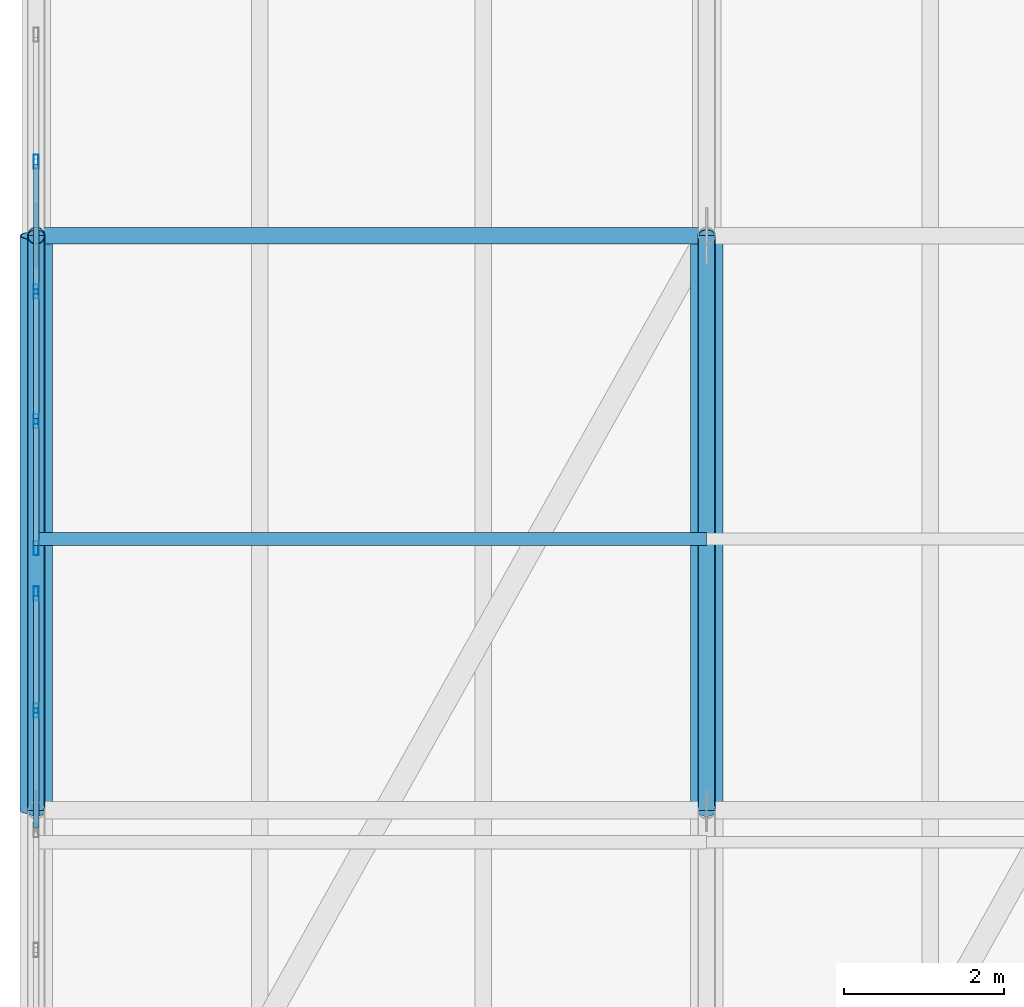
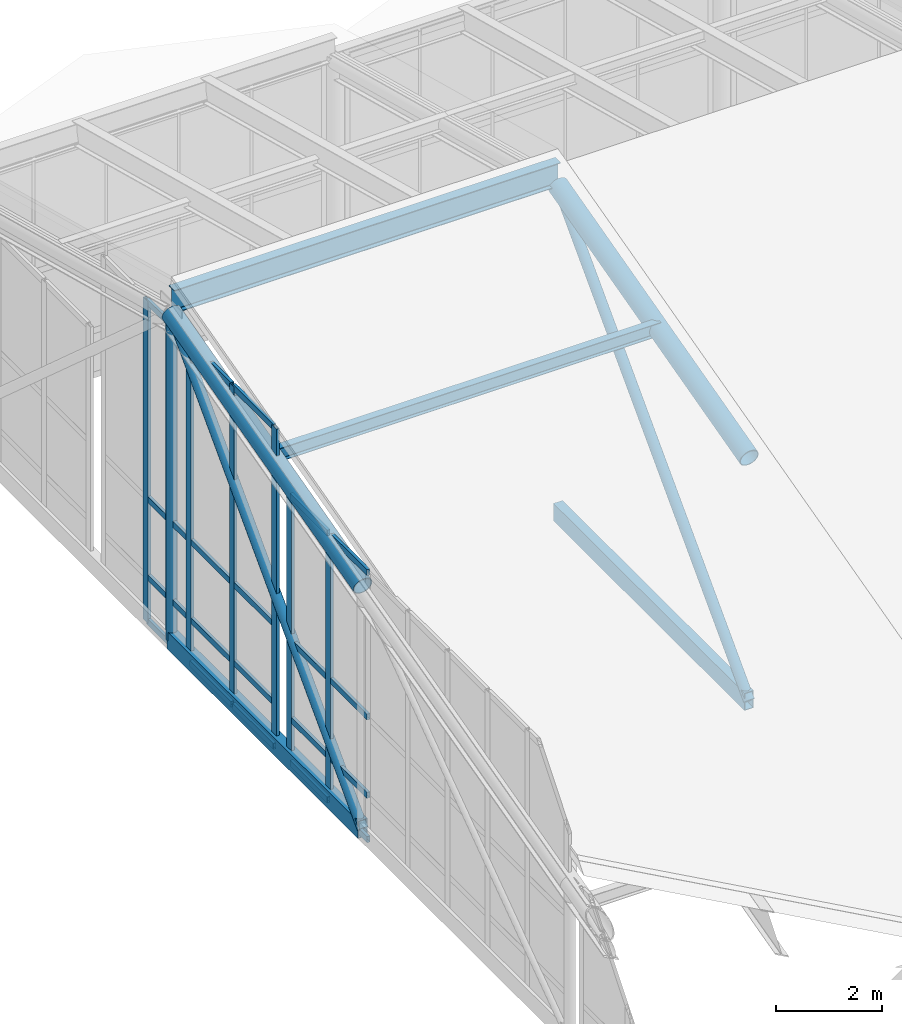
# One storey, part 12 of 43: 34 members, 1 beam, 2 elements without a shape of their own.
"""IFC4 building model written with IfcOpenShell, lengths in metres."""

from ifc_helpers import new_model, si_unit, direction, frame, origin, origin_2d, place, context, subcontext, project, spatial, hollow_rectangle, hollow_circle, i_section, extrude, material, layer, layer_set, material_profile, profile_set, type_object, element, aggregate, save


model = new_model("IFC4")

# Units and contexts
model_context = context("Model", 3, precision=1e-05, world=origin(), true_north=direction((0.0, 1.0)))
body_context = subcontext(model_context, "Body", "Model", "MODEL_VIEW")
ifc_project = project(units=[si_unit("LENGTHUNIT", "METRE"), si_unit("AREAUNIT", "SQUARE_METRE"), si_unit("VOLUMEUNIT", "CUBIC_METRE"), si_unit("PLANEANGLEUNIT", "RADIAN"), si_unit("MASSUNIT", "GRAM", prefix="KILO")], contexts=[model_context])

# Site, building, storey
site_placement = place(None, origin())
site = spatial("IfcSite", under=ifc_project, at=site_placement, CompositionType="ELEMENT")
building_placement = place(site_placement, origin())
building = spatial("IfcBuilding", under=site, at=building_placement, Name="Selat Folded Stagehouse", CompositionType="ELEMENT")
storey_placement = place(building_placement, frame((0.0, 0.0, 32.39990234375)))
storey = spatial("IfcBuildingStorey", under=building, at=storey_placement, Name="RF", CompositionType="ELEMENT", Elevation=32.39990234375)

# Beam
ifc_material_1 = material(Name="Steel S355", Category="steel")
ifc_material_profile_1 = material_profile(ifc_material_1, i_section(OverallWidth=0.209228515625, OverallDepth=0.533203125, WebThickness=0.010009765625, FlangeThickness=0.015625, FilletRadius=0.0126953125, at=origin_2d()), Name="UKB 533x210x92")
ifc_profile_set_1 = profile_set([ifc_material_profile_1], Name="Steel S355")
beam_type = type_object("IfcBeamType", Name="BM-GIRD-533x210x92", PredefinedType="BEAM", material=ifc_profile_set_1)
beam_placement = place(storey_placement, frame((8.39990234375, 46.199951171875, 7.943359375), z_axis=(1.0, 0.0, 0.0), x_axis=(0.0, 1.0, 0.0)))
element("IfcBeam", 1, at=beam_placement, inside=storey, type_object=beam_type, Name="RF bay 1 R roof bearer beam", PredefinedType="BEAM", context=body_context, shape_type="SweptSolid", body=[
    extrude(i_section(OverallWidth=0.209228515625, OverallDepth=0.533203125, WebThickness=0.010009765625, FlangeThickness=0.015625, FilletRadius=0.0126953125, at=origin_2d()), origin(), (0.0, 0.0, 1.0), 8.400146484375),
])

# Curtain wall, members
ifc_material_2 = material(Name="Aluminium 6063-T6", Category="aluminium")
ifc_layer = layer(ifc_material_2, 0.169921875)
ifc_layer_set = layer_set([ifc_layer], Name="Aluminium 6063-T6")
curtain_wall_type = type_object("IfcCurtainWallType", Name="CW-CRN-CLER", PredefinedType="NOTDEFINED", material=ifc_layer_set)
curtain_wall_1_placement = place(storey_placement, origin())
curtain_wall_1 = element("IfcCurtainWall", 2, at=curtain_wall_1_placement, inside=storey, type_object=curtain_wall_type, Name="RF curtain wall CW-RF-W-01", PredefinedType="NOTDEFINED")
ifc_material_profile_2 = material_profile(ifc_material_2, hollow_rectangle(XDim=0.06494140625, YDim=0.179931640625, WallThickness=0.00390625, at=origin_2d()), Name="ALU 180x65x4.0")
ifc_profile_set_2 = profile_set([ifc_material_profile_2], Name="Aluminium 6063-T6")
member_type_1 = type_object("IfcMemberType", Name="CWM-MUL-180x65", PredefinedType="MULLION", material=ifc_profile_set_2)
member_1_placement = place(storey_placement, frame((8.39990234375, 40.25, 0.0), z_axis=(0.0, 0.0, 1.0), x_axis=(-1.0, 0.0, 0.0)))
member_1 = element("IfcMember", 3, at=member_1_placement, type_object=member_type_1, Name="CW-09 mullion 7", PredefinedType="MULLION", context=body_context, shape_type="SweptSolid", body=[
    extrude(hollow_rectangle(XDim=0.06494140625, YDim=0.179931640625, WallThickness=0.00390625, at=origin_2d()), origin(), (0.0, 0.0, 1.0), 6.2001953125),
])
member_2_placement = place(storey_placement, frame((8.39990234375, 41.717529296875, 0.0), z_axis=(0.0, 0.0, 1.0), x_axis=(-1.0, 0.0, 0.0)))
member_2 = element("IfcMember", 4, at=member_2_placement, type_object=member_type_1, Name="CW-09 mullion 8", PredefinedType="MULLION", context=body_context, shape_type="SweptSolid", body=[
    extrude(hollow_rectangle(XDim=0.06494140625, YDim=0.179931640625, WallThickness=0.00390625, at=origin_2d()), origin(), (0.0, 0.0, 1.0), 6.2001953125),
])

curtain_wall_2_placement = place(storey_placement, origin())
curtain_wall_2 = element("IfcCurtainWall", 5, at=curtain_wall_2_placement, inside=storey, type_object=curtain_wall_type, Name="RF curtain wall CW-RF-W-02", PredefinedType="NOTDEFINED")
member_3_placement = place(storey_placement, frame((8.39990234375, 42.282470703125, 0.0), z_axis=(0.0, 0.0, 1.0), x_axis=(-1.0, 0.0, 0.0)))
member_3 = element("IfcMember", 6, at=member_3_placement, type_object=member_type_1, Name="CW-09 mullion 1", PredefinedType="MULLION", context=body_context, shape_type="SweptSolid", body=[
    extrude(hollow_rectangle(XDim=0.06494140625, YDim=0.179931640625, WallThickness=0.00390625, at=origin_2d()), origin(), (0.0, 0.0, 1.0), 7.400146484375),
])
member_4_placement = place(storey_placement, frame((8.39990234375, 43.875, 0.0), z_axis=(0.0, 0.0, 1.0), x_axis=(-1.0, 0.0, 0.0)))
member_4 = element("IfcMember", 7, at=member_4_placement, type_object=member_type_1, Name="CW-09 mullion 2", PredefinedType="MULLION", context=body_context, shape_type="SweptSolid", body=[
    extrude(hollow_rectangle(XDim=0.06494140625, YDim=0.179931640625, WallThickness=0.00390625, at=origin_2d()), origin(), (0.0, 0.0, 1.0), 7.400146484375),
])
member_5_placement = place(storey_placement, frame((8.39990234375, 45.5, 0.0), z_axis=(0.0, 0.0, 1.0), x_axis=(-1.0, 0.0, 0.0)))
member_5 = element("IfcMember", 8, at=member_5_placement, type_object=member_type_1, Name="CW-09 mullion 3", PredefinedType="MULLION", context=body_context, shape_type="SweptSolid", body=[
    extrude(hollow_rectangle(XDim=0.06494140625, YDim=0.179931640625, WallThickness=0.00390625, at=origin_2d()), origin(), (0.0, 0.0, 1.0), 7.400146484375),
])
member_6_placement = place(storey_placement, frame((8.39990234375, 47.125, 0.0), z_axis=(0.0, 0.0, 1.0), x_axis=(-1.0, 0.0, 0.0)))
member_6 = element("IfcMember", 9, at=member_6_placement, type_object=member_type_1, Name="CW-09 mullion 4", PredefinedType="MULLION", context=body_context, shape_type="SweptSolid", body=[
    extrude(hollow_rectangle(XDim=0.06494140625, YDim=0.179931640625, WallThickness=0.00390625, at=origin_2d()), origin(), (0.0, 0.0, 1.0), 7.400146484375),
])

# Member
ifc_material_profile_3 = material_profile(ifc_material_2, hollow_rectangle(XDim=0.06494140625, YDim=0.139892578125, WallThickness=0.00390625, at=origin_2d()), Name="ALU 140x65x4.0")
ifc_profile_set_3 = profile_set([ifc_material_profile_3], Name="Aluminium 6063-T6")
member_type_2 = type_object("IfcMemberType", Name="CWM-TRN-140x65", PredefinedType="USERDEFINED", material=ifc_profile_set_3)
member_7_placement = place(storey_placement, frame((8.39990234375, 38.782470703125, 0.03271484375), z_axis=(0.0, 1.0, 0.0), x_axis=(-1.0, 0.0, 0.0)))
member_7 = element("IfcMember", 10, at=member_7_placement, type_object=member_type_2, Name="CW-09 transom 6.1", ObjectType="TRANSOM", PredefinedType="USERDEFINED", context=body_context, shape_type="SweptSolid", body=[
    extrude(hollow_rectangle(XDim=0.06494140625, YDim=0.139892578125, WallThickness=0.00390625, at=origin_2d()), origin(), (0.0, 0.0, 1.0), 1.43505859375),
])

member_8_placement = place(storey_placement, frame((8.39990234375, 38.782470703125, 1.050048828125), z_axis=(0.0, 1.0, 0.0), x_axis=(-1.0, 0.0, 0.0)))
member_8 = element("IfcMember", 11, at=member_8_placement, type_object=member_type_2, Name="CW-09 transom 6.2", ObjectType="TRANSOM", PredefinedType="USERDEFINED", context=body_context, shape_type="SweptSolid", body=[
    extrude(hollow_rectangle(XDim=0.06494140625, YDim=0.139892578125, WallThickness=0.00390625, at=origin_2d()), origin(), (0.0, 0.0, 1.0), 1.43505859375),
])

member_9_placement = place(storey_placement, frame((8.39990234375, 38.782470703125, 2.85009765625), z_axis=(0.0, 1.0, 0.0), x_axis=(-1.0, 0.0, 0.0)))
member_9 = element("IfcMember", 12, at=member_9_placement, type_object=member_type_2, Name="CW-09 transom 6.3", ObjectType="TRANSOM", PredefinedType="USERDEFINED", context=body_context, shape_type="SweptSolid", body=[
    extrude(hollow_rectangle(XDim=0.06494140625, YDim=0.139892578125, WallThickness=0.00390625, at=origin_2d()), origin(), (0.0, 0.0, 1.0), 1.43505859375),
])

member_10_placement = place(storey_placement, frame((8.39990234375, 38.782470703125, 6.16748046875), z_axis=(0.0, 1.0, 0.0), x_axis=(-1.0, 0.0, 0.0)))
member_10 = element("IfcMember", 13, at=member_10_placement, type_object=member_type_2, Name="CW-09 transom 6.4", ObjectType="TRANSOM", PredefinedType="USERDEFINED", context=body_context, shape_type="SweptSolid", body=[
    extrude(hollow_rectangle(XDim=0.06494140625, YDim=0.139892578125, WallThickness=0.00390625, at=origin_2d()), origin(), (0.0, 0.0, 1.0), 1.43505859375),
])

member_11_placement = place(storey_placement, frame((8.39990234375, 40.282470703125, 0.03271484375), z_axis=(0.0, 1.0, 0.0), x_axis=(-1.0, 0.0, 0.0)))
member_11 = element("IfcMember", 14, at=member_11_placement, type_object=member_type_2, Name="CW-09 transom 7.1", ObjectType="TRANSOM", PredefinedType="USERDEFINED", context=body_context, shape_type="SweptSolid", body=[
    extrude(hollow_rectangle(XDim=0.06494140625, YDim=0.139892578125, WallThickness=0.00390625, at=origin_2d()), origin(), (0.0, 0.0, 1.0), 1.402587890625),
])

member_12_placement = place(storey_placement, frame((8.39990234375, 40.282470703125, 1.050048828125), z_axis=(0.0, 1.0, 0.0), x_axis=(-1.0, 0.0, 0.0)))
member_12 = element("IfcMember", 15, at=member_12_placement, type_object=member_type_2, Name="CW-09 transom 7.2", ObjectType="TRANSOM", PredefinedType="USERDEFINED", context=body_context, shape_type="SweptSolid", body=[
    extrude(hollow_rectangle(XDim=0.06494140625, YDim=0.139892578125, WallThickness=0.00390625, at=origin_2d()), origin(), (0.0, 0.0, 1.0), 1.402587890625),
])

member_13_placement = place(storey_placement, frame((8.39990234375, 40.282470703125, 2.85009765625), z_axis=(0.0, 1.0, 0.0), x_axis=(-1.0, 0.0, 0.0)))
member_13 = element("IfcMember", 16, at=member_13_placement, type_object=member_type_2, Name="CW-09 transom 7.3", ObjectType="TRANSOM", PredefinedType="USERDEFINED", context=body_context, shape_type="SweptSolid", body=[
    extrude(hollow_rectangle(XDim=0.06494140625, YDim=0.139892578125, WallThickness=0.00390625, at=origin_2d()), origin(), (0.0, 0.0, 1.0), 1.402587890625),
])

member_14_placement = place(storey_placement, frame((8.39990234375, 40.282470703125, 6.16748046875), z_axis=(0.0, 1.0, 0.0), x_axis=(-1.0, 0.0, 0.0)))
member_14 = element("IfcMember", 17, at=member_14_placement, type_object=member_type_2, Name="CW-09 transom 7.4", ObjectType="TRANSOM", PredefinedType="USERDEFINED", context=body_context, shape_type="SweptSolid", body=[
    extrude(hollow_rectangle(XDim=0.06494140625, YDim=0.139892578125, WallThickness=0.00390625, at=origin_2d()), origin(), (0.0, 0.0, 1.0), 1.402587890625),
])

aggregate(curtain_wall_1, [member_1, member_2, member_7, member_8, member_9, member_10, member_11, member_12, member_13, member_14])

member_15_placement = place(storey_placement, frame((8.39990234375, 42.31494140625, 0.03271484375), z_axis=(0.0, 1.0, 0.0), x_axis=(-1.0, 0.0, 0.0)))
member_15 = element("IfcMember", 18, at=member_15_placement, type_object=member_type_2, Name="CW-09 transom 1.1", ObjectType="TRANSOM", PredefinedType="USERDEFINED", context=body_context, shape_type="SweptSolid", body=[
    extrude(hollow_rectangle(XDim=0.06494140625, YDim=0.139892578125, WallThickness=0.00390625, at=origin_2d()), origin(), (0.0, 0.0, 1.0), 1.527587890625),
])

member_16_placement = place(storey_placement, frame((8.39990234375, 42.31494140625, 1.050048828125), z_axis=(0.0, 1.0, 0.0), x_axis=(-1.0, 0.0, 0.0)))
member_16 = element("IfcMember", 19, at=member_16_placement, type_object=member_type_2, Name="CW-09 transom 1.2", ObjectType="TRANSOM", PredefinedType="USERDEFINED", context=body_context, shape_type="SweptSolid", body=[
    extrude(hollow_rectangle(XDim=0.06494140625, YDim=0.139892578125, WallThickness=0.00390625, at=origin_2d()), origin(), (0.0, 0.0, 1.0), 1.527587890625),
])

member_17_placement = place(storey_placement, frame((8.39990234375, 42.31494140625, 2.85009765625), z_axis=(0.0, 1.0, 0.0), x_axis=(-1.0, 0.0, 0.0)))
member_17 = element("IfcMember", 20, at=member_17_placement, type_object=member_type_2, Name="CW-09 transom 1.3", ObjectType="TRANSOM", PredefinedType="USERDEFINED", context=body_context, shape_type="SweptSolid", body=[
    extrude(hollow_rectangle(XDim=0.06494140625, YDim=0.139892578125, WallThickness=0.00390625, at=origin_2d()), origin(), (0.0, 0.0, 1.0), 1.527587890625),
])

member_18_placement = place(storey_placement, frame((8.39990234375, 42.31494140625, 7.36767578125), z_axis=(0.0, 1.0, 0.0), x_axis=(-1.0, 0.0, 0.0)))
member_18 = element("IfcMember", 21, at=member_18_placement, type_object=member_type_2, Name="CW-09 transom 1.4", ObjectType="TRANSOM", PredefinedType="USERDEFINED", context=body_context, shape_type="SweptSolid", body=[
    extrude(hollow_rectangle(XDim=0.06494140625, YDim=0.139892578125, WallThickness=0.00390625, at=origin_2d()), origin(), (0.0, 0.0, 1.0), 1.527587890625),
])

member_19_placement = place(storey_placement, frame((8.39990234375, 43.907470703125, 0.03271484375), z_axis=(0.0, 1.0, 0.0), x_axis=(-1.0, 0.0, 0.0)))
member_19 = element("IfcMember", 22, at=member_19_placement, type_object=member_type_2, Name="CW-09 transom 2.1", ObjectType="TRANSOM", PredefinedType="USERDEFINED", context=body_context, shape_type="SweptSolid", body=[
    extrude(hollow_rectangle(XDim=0.06494140625, YDim=0.139892578125, WallThickness=0.00390625, at=origin_2d()), origin(), (0.0, 0.0, 1.0), 1.56005859375),
])

member_20_placement = place(storey_placement, frame((8.39990234375, 43.907470703125, 1.050048828125), z_axis=(0.0, 1.0, 0.0), x_axis=(-1.0, 0.0, 0.0)))
member_20 = element("IfcMember", 23, at=member_20_placement, type_object=member_type_2, Name="CW-09 transom 2.2", ObjectType="TRANSOM", PredefinedType="USERDEFINED", context=body_context, shape_type="SweptSolid", body=[
    extrude(hollow_rectangle(XDim=0.06494140625, YDim=0.139892578125, WallThickness=0.00390625, at=origin_2d()), origin(), (0.0, 0.0, 1.0), 1.56005859375),
])

member_21_placement = place(storey_placement, frame((8.39990234375, 43.907470703125, 2.85009765625), z_axis=(0.0, 1.0, 0.0), x_axis=(-1.0, 0.0, 0.0)))
member_21 = element("IfcMember", 24, at=member_21_placement, type_object=member_type_2, Name="CW-09 transom 2.3", ObjectType="TRANSOM", PredefinedType="USERDEFINED", context=body_context, shape_type="SweptSolid", body=[
    extrude(hollow_rectangle(XDim=0.06494140625, YDim=0.139892578125, WallThickness=0.00390625, at=origin_2d()), origin(), (0.0, 0.0, 1.0), 1.56005859375),
])

member_22_placement = place(storey_placement, frame((8.39990234375, 43.907470703125, 7.36767578125), z_axis=(0.0, 1.0, 0.0), x_axis=(-1.0, 0.0, 0.0)))
member_22 = element("IfcMember", 25, at=member_22_placement, type_object=member_type_2, Name="CW-09 transom 2.4", ObjectType="TRANSOM", PredefinedType="USERDEFINED", context=body_context, shape_type="SweptSolid", body=[
    extrude(hollow_rectangle(XDim=0.06494140625, YDim=0.139892578125, WallThickness=0.00390625, at=origin_2d()), origin(), (0.0, 0.0, 1.0), 1.56005859375),
])

member_23_placement = place(storey_placement, frame((8.39990234375, 45.532470703125, 0.03271484375), z_axis=(0.0, 1.0, 0.0), x_axis=(-1.0, 0.0, 0.0)))
member_23 = element("IfcMember", 26, at=member_23_placement, type_object=member_type_2, Name="CW-09 transom 3.1", ObjectType="TRANSOM", PredefinedType="USERDEFINED", context=body_context, shape_type="SweptSolid", body=[
    extrude(hollow_rectangle(XDim=0.06494140625, YDim=0.139892578125, WallThickness=0.00390625, at=origin_2d()), origin(), (0.0, 0.0, 1.0), 1.56005859375),
])

member_24_placement = place(storey_placement, frame((8.39990234375, 45.532470703125, 1.050048828125), z_axis=(0.0, 1.0, 0.0), x_axis=(-1.0, 0.0, 0.0)))
member_24 = element("IfcMember", 27, at=member_24_placement, type_object=member_type_2, Name="CW-09 transom 3.2", ObjectType="TRANSOM", PredefinedType="USERDEFINED", context=body_context, shape_type="SweptSolid", body=[
    extrude(hollow_rectangle(XDim=0.06494140625, YDim=0.139892578125, WallThickness=0.00390625, at=origin_2d()), origin(), (0.0, 0.0, 1.0), 1.56005859375),
])

member_25_placement = place(storey_placement, frame((8.39990234375, 45.532470703125, 2.85009765625), z_axis=(0.0, 1.0, 0.0), x_axis=(-1.0, 0.0, 0.0)))
member_25 = element("IfcMember", 28, at=member_25_placement, type_object=member_type_2, Name="CW-09 transom 3.3", ObjectType="TRANSOM", PredefinedType="USERDEFINED", context=body_context, shape_type="SweptSolid", body=[
    extrude(hollow_rectangle(XDim=0.06494140625, YDim=0.139892578125, WallThickness=0.00390625, at=origin_2d()), origin(), (0.0, 0.0, 1.0), 1.56005859375),
])

member_26_placement = place(storey_placement, frame((8.39990234375, 45.532470703125, 7.36767578125), z_axis=(0.0, 1.0, 0.0), x_axis=(-1.0, 0.0, 0.0)))
member_26 = element("IfcMember", 29, at=member_26_placement, type_object=member_type_2, Name="CW-09 transom 3.4", ObjectType="TRANSOM", PredefinedType="USERDEFINED", context=body_context, shape_type="SweptSolid", body=[
    extrude(hollow_rectangle(XDim=0.06494140625, YDim=0.139892578125, WallThickness=0.00390625, at=origin_2d()), origin(), (0.0, 0.0, 1.0), 1.56005859375),
])

aggregate(curtain_wall_2, [member_3, member_4, member_5, member_6, member_15, member_16, member_17, member_18, member_19, member_20, member_21, member_22, member_23, member_24, member_25, member_26])

# Members
ifc_material_profile_4 = material_profile(ifc_material_1, hollow_circle(Radius=0.109619140625, WallThickness=0.010009765625, at=origin_2d()), Name="CHS 219.1x10.0")
ifc_profile_set_4 = profile_set([ifc_material_profile_4], Name="Steel S355")
member_type_3 = type_object("IfcMemberType", Name="MEM-BRACE-CHS219", PredefinedType="BRACE", material=ifc_profile_set_4)
for number, where, z_axis, x_axis, name in (
    (30, (8.39990234375, 39.0, 0.150146484375), (0.0, 0.693597845088, 0.720362429121), (-1.0, 0.0, 0.0), "Folded-plate web diagonal 1.3"),
    (31, (16.800048828125, 39.0, 0.150146484375), (0.0, 0.693597845088, 0.720362429121), (-1.0, 0.0, 0.0), "Folded-plate web diagonal 2.3"),
):
    element("IfcMember", number, at=place(storey_placement, frame(where, z_axis=z_axis, x_axis=x_axis)), inside=storey, type_object=member_type_3, Name=name, PredefinedType="BRACE", context=body_context, shape_type="SweptSolid", body=[
        extrude(hollow_circle(Radius=0.109619140625, WallThickness=0.010009765625, at=origin_2d()), origin(), (0.0, 0.0, 1.0), 10.380615234375),
    ])
ifc_material_profile_5 = material_profile(ifc_material_1, hollow_circle(Radius=0.203125, WallThickness=0.01611328125, at=origin_2d()), Name="CHS 406.4x16.0")
ifc_profile_set_5 = profile_set([ifc_material_profile_5], Name="Steel S355")
member_type_4 = type_object("IfcMemberType", Name="MEM-CHORD-CHS406", PredefinedType="CHORD", material=ifc_profile_set_5)
for number, where, z_axis, x_axis, name in (
    (32, (8.39990234375, 39.0, 5.72607421875), (0.0, 0.966838433119, 0.255388809942), (-1.0, 0.0, 0.0), "Folded-plate top chord 1.3"),
    (33, (16.800048828125, 39.0, 5.72607421875), (0.0, 0.966838433119, 0.255388809942), (-1.0, 0.0, 0.0), "Folded-plate top chord 2.3"),
):
    element("IfcMember", number, at=place(storey_placement, frame(where, z_axis=z_axis, x_axis=x_axis)), inside=storey, type_object=member_type_4, Name=name, PredefinedType="CHORD", context=body_context, shape_type="SweptSolid", body=[
        extrude(hollow_circle(Radius=0.203125, WallThickness=0.01611328125, at=origin_2d()), origin(), (0.0, 0.0, 1.0), 7.447021484375),
    ])
ifc_material_profile_6 = material_profile(ifc_material_1, hollow_rectangle(XDim=0.199951171875, YDim=0.39990234375, WallThickness=0.012451171875, at=origin_2d()), Name="RHS 400x200x12.5")
ifc_profile_set_6 = profile_set([ifc_material_profile_6], Name="Steel S355")
member_type_5 = type_object("IfcMemberType", Name="MEM-CHORD-RHS400", PredefinedType="CHORD", material=ifc_profile_set_6)
for number, where, z_axis, x_axis, name in (
    (34, (8.39990234375, 39.0, 0.150146484375), (0.0, 1.0, 0.0), (-1.0, 0.0, 0.0), "Folded-plate bottom tie 1.3"),
    (35, (16.800048828125, 39.0, 0.150146484375), (0.0, 1.0, 0.0), (-1.0, 0.0, 0.0), "Folded-plate bottom tie 2.3"),
):
    element("IfcMember", number, at=place(storey_placement, frame(where, z_axis=z_axis, x_axis=x_axis)), inside=storey, type_object=member_type_5, Name=name, PredefinedType="CHORD", context=body_context, shape_type="SweptSolid", body=[
        extrude(hollow_rectangle(XDim=0.199951171875, YDim=0.39990234375, WallThickness=0.012451171875, at=origin_2d()), origin(), (0.0, 0.0, 1.0), 7.199951171875),
    ])
ifc_material_profile_7 = material_profile(ifc_material_1, hollow_circle(Radius=0.109619140625, WallThickness=0.010009765625, at=origin_2d()), Name="CHS 219.1x10.0")
ifc_profile_set_7 = profile_set([ifc_material_profile_7], Name="Steel S355")
member_type_6 = type_object("IfcMemberType", Name="MEM-POST-CHS219", PredefinedType="POST", material=ifc_profile_set_7)
member_27_placement = place(storey_placement, frame((8.39990234375, 46.199951171875, 0.150146484375), z_axis=(0.0, 0.0, 1.0), x_axis=(1.0, 0.0, 0.0)))
element("IfcMember", 36, at=member_27_placement, inside=storey, type_object=member_type_6, Name="Folded-plate truss post 1.3", PredefinedType="POST", context=body_context, shape_type="SweptSolid", body=[
    extrude(hollow_circle(Radius=0.109619140625, WallThickness=0.010009765625, at=origin_2d()), origin(), (0.0, 0.0, 1.0), 7.477783203125),
])
ifc_material_profile_8 = material_profile(ifc_material_1, i_section(OverallWidth=0.1650390625, OverallDepth=0.303466796875, WebThickness=0.006103515625, FlangeThickness=0.01025390625, FilletRadius=0.0087890625, at=origin_2d()), Name="UKB 305x165x40")
ifc_profile_set_8 = profile_set([ifc_material_profile_8], Name="Steel S355")
member_type_7 = type_object("IfcMemberType", Name="MEM-PURLIN-UKB305", PredefinedType="PURLIN", material=ifc_profile_set_8)
member_28_placement = place(storey_placement, frame((8.39990234375, 42.39990234375, 6.677490234375), z_axis=(1.0, 0.0, 0.0), x_axis=(0.0, 1.0, 0.0)))
element("IfcMember", 37, at=member_28_placement, inside=storey, type_object=member_type_7, Name="Folded-plate roof purlin bay 1.4", PredefinedType="PURLIN", context=body_context, shape_type="SweptSolid", body=[
    extrude(i_section(OverallWidth=0.1650390625, OverallDepth=0.303466796875, WebThickness=0.006103515625, FlangeThickness=0.01025390625, FilletRadius=0.0087890625, at=origin_2d()), origin(), (0.0, 0.0, 1.0), 8.400146484375),
])

save(model, "model.ifc")
